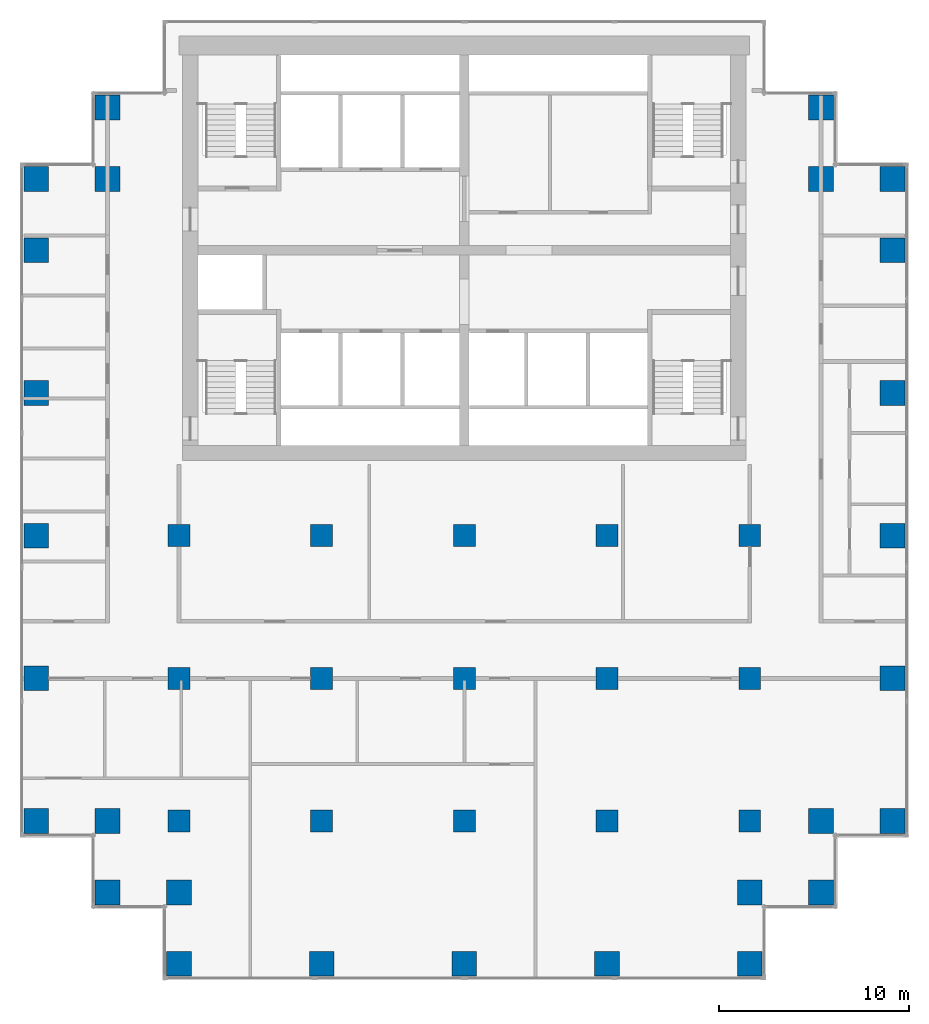
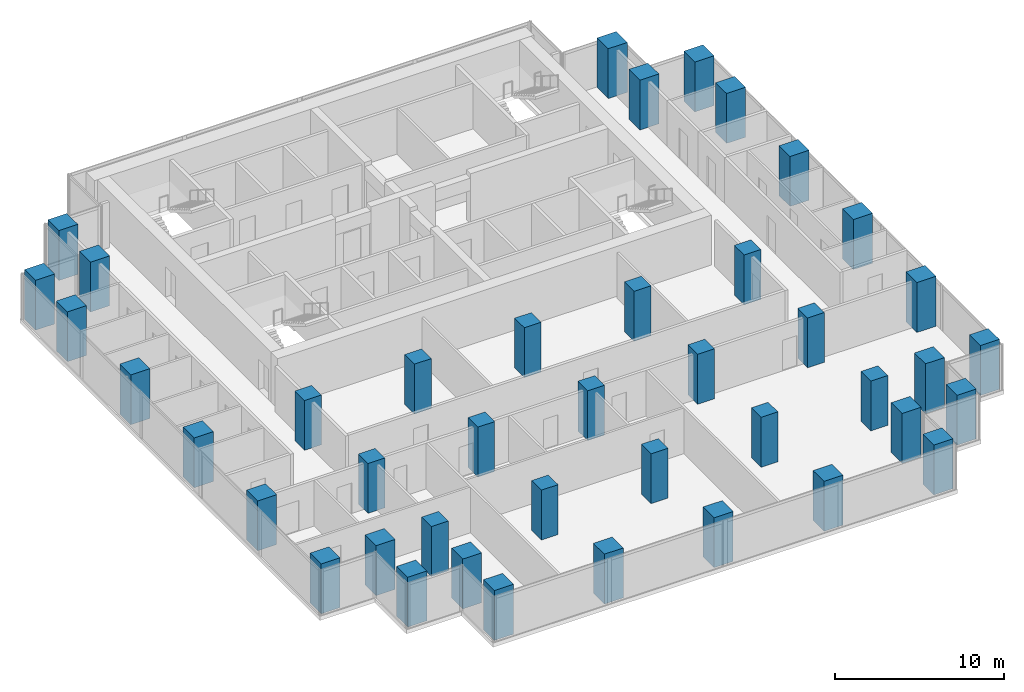
# One storey, part 1 of 10: 42 columns.
"""IFC4 building model written with IfcOpenShell, lengths in metres."""

from ifc_helpers import new_model, si_unit, direction, frame, origin, origin_2d, place, context, subcontext, project, spatial, rectangle, extrude, material, material_profile, profile_set, type_object, element, save


model = new_model("IFC4")

# Units and contexts
model_context = context("Model", 3, precision=1e-05, world=origin(), true_north=direction((0.0, 1.0)))
body_context = subcontext(model_context, "Body", "Model", "MODEL_VIEW")
ifc_project = project(units=[si_unit("LENGTHUNIT", "METRE"), si_unit("AREAUNIT", "SQUARE_METRE"), si_unit("VOLUMEUNIT", "CUBIC_METRE"), si_unit("PLANEANGLEUNIT", "RADIAN"), si_unit("MASSUNIT", "GRAM", prefix="KILO")], contexts=[model_context])

# Site, building, storey
site_placement = place(None, origin())
site = spatial("IfcSite", under=ifc_project, at=site_placement, CompositionType="ELEMENT")
building_placement = place(site_placement, origin())
building = spatial("IfcBuilding", under=site, at=building_placement, Name="Pilkhan Gate Tower", CompositionType="ELEMENT")
storey_placement = place(building_placement, frame((0.0, 0.0, 128.800048828125)))
storey = spatial("IfcBuildingStorey", under=building, at=storey_placement, Name="L32", CompositionType="ELEMENT", Elevation=128.800048828125)

# Columns
ifc_material = material(Name="Concrete C60/75", Category="concrete")
ifc_material_profile_1 = material_profile(ifc_material, rectangle(XDim=1.14990234375, YDim=1.14990234375, at=origin_2d()), Name="RC 1150x1150")
ifc_profile_set_1 = profile_set([ifc_material_profile_1], Name="Concrete C60/75")
column_type_1 = type_object("IfcColumnType", Name="Column C115 RC 1150x1150 C60/75", PredefinedType="COLUMN", material=ifc_profile_set_1)
for number, where, z_axis, x_axis, name in (
    (1, (60.0, 52.5, 0.0), (0.0, 0.0, 1.0), (1.0, 0.0, 0.0), "Column 7/D L32"),
    (2, (60.0, 60.0, 0.0), (0.0, 0.0, 1.0), (1.0, 0.0, 0.0), "Column 7/F L32"),
    (3, (60.0, 67.5, 0.0), (0.0, 0.0, 1.0), (1.0, 0.0, 0.0), "Column 7/H L32"),
    (4, (67.5, 52.5, 0.0), (0.0, 0.0, 1.0), (1.0, 0.0, 0.0), "Column 9/D L32"),
    (5, (67.5, 60.0, 0.0), (0.0, 0.0, 1.0), (1.0, 0.0, 0.0), "Column 9/F L32"),
    (6, (67.5, 67.5, 0.0), (0.0, 0.0, 1.0), (1.0, 0.0, 0.0), "Column 9/H L32"),
    (7, (75.0, 52.5, 0.0), (0.0, 0.0, 1.0), (1.0, 0.0, 0.0), "Column 11/D L32"),
    (8, (75.0, 60.0, 0.0), (0.0, 0.0, 1.0), (1.0, 0.0, 0.0), "Column 11/F L32"),
    (9, (75.0, 67.5, 0.0), (0.0, 0.0, 1.0), (1.0, 0.0, 0.0), "Column 11/H L32"),
    (10, (82.5, 52.5, 0.0), (0.0, 0.0, 1.0), (1.0, 0.0, 0.0), "Column 13/D L32"),
    (11, (82.5, 60.0, 0.0), (0.0, 0.0, 1.0), (1.0, 0.0, 0.0), "Column 13/F L32"),
    (12, (82.5, 67.5, 0.0), (0.0, 0.0, 1.0), (1.0, 0.0, 0.0), "Column 13/H L32"),
    (13, (90.0, 52.5, 0.0), (0.0, 0.0, 1.0), (1.0, 0.0, 0.0), "Column 15/D L32"),
    (14, (90.0, 60.0, 0.0), (0.0, 0.0, 1.0), (1.0, 0.0, 0.0), "Column 15/F L32"),
    (15, (90.0, 67.5, 0.0), (0.0, 0.0, 1.0), (1.0, 0.0, 0.0), "Column 15/H L32"),
):
    element("IfcColumn", number, at=place(storey_placement, frame(where, z_axis=z_axis, x_axis=x_axis)), inside=storey, type_object=column_type_1, Name=name, PredefinedType="COLUMN", context=body_context, shape_type="SweptSolid", body=[
        extrude(rectangle(XDim=1.14990234375, YDim=1.14990234375, at=origin_2d()), origin(), (0.0, 0.0, 1.0), 3.599853515625),
    ])
ifc_material_profile_2 = material_profile(ifc_material, rectangle(XDim=1.300048828125, YDim=1.300048828125, at=origin_2d()), Name="RC 1300x1300")
ifc_profile_set_2 = profile_set([ifc_material_profile_2], Name="Concrete C60/75")
column_type_2 = type_object("IfcColumnType", Name="Column C130 RC 1300x1300 C60/75", PredefinedType="COLUMN", material=ifc_profile_set_2)
for number, where, z_axis, x_axis, name in (
    (16, (52.5, 52.5, 0.0), (0.0, 0.0, 1.0), (1.0, 0.0, 0.0), "Column 5/D L32"),
    (17, (52.5, 60.0, 0.0), (0.0, 0.0, 1.0), (1.0, 0.0, 0.0), "Column 5/F L32"),
    (18, (52.5, 67.5, 0.0), (0.0, 0.0, 1.0), (1.0, 0.0, 0.0), "Column 5/H L32"),
    (19, (52.5, 75.0, 0.0), (0.0, 0.0, 1.0), (1.0, 0.0, 0.0), "Column 5/K L32"),
    (20, (52.5, 82.5, 0.0), (0.0, 0.0, 1.0), (1.0, 0.0, 0.0), "Column 5/M L32"),
    (21, (52.5, 86.25, 0.0), (0.0, 0.0, 1.0), (1.0, 0.0, 0.0), "Column 5/N L32"),
    (22, (56.25, 48.75, 0.0), (0.0, 0.0, 1.0), (1.0, 0.0, 0.0), "Column 6/C L32"),
    (23, (56.25, 52.5, 0.0), (0.0, 0.0, 1.0), (1.0, 0.0, 0.0), "Column 6/D L32"),
    (24, (56.25, 86.25, 0.0), (0.0, 0.0, 1.0), (1.0, 0.0, 0.0), "Column 6/N L32"),
    (25, (56.25, 90.0, 0.0), (0.0, 0.0, 1.0), (1.0, 0.0, 0.0), "Column 6/P L32"),
    (26, (60.0, 45.0, 0.0), (0.0, 0.0, 1.0), (1.0, 0.0, 0.0), "Column 7/B L32"),
    (27, (60.0, 48.75, 0.0), (0.0, 0.0, 1.0), (1.0, 0.0, 0.0), "Column 7/C L32"),
    (28, (67.5, 45.0, 0.0), (0.0, 0.0, 1.0), (1.0, 0.0, 0.0), "Column 9/B L32"),
    (29, (75.0, 45.0, 0.0), (0.0, 0.0, 1.0), (1.0, 0.0, 0.0), "Column 11/B L32"),
    (30, (82.5, 45.0, 0.0), (0.0, 0.0, 1.0), (1.0, 0.0, 0.0), "Column 13/B L32"),
    (31, (90.0, 45.0, 0.0), (0.0, 0.0, 1.0), (1.0, 0.0, 0.0), "Column 15/B L32"),
    (32, (90.0, 48.75, 0.0), (0.0, 0.0, 1.0), (1.0, 0.0, 0.0), "Column 15/C L32"),
    (33, (93.75, 48.75, 0.0), (0.0, 0.0, 1.0), (1.0, 0.0, 0.0), "Column 16/C L32"),
    (34, (93.75, 52.5, 0.0), (0.0, 0.0, 1.0), (1.0, 0.0, 0.0), "Column 16/D L32"),
    (35, (93.75, 86.25, 0.0), (0.0, 0.0, 1.0), (1.0, 0.0, 0.0), "Column 16/N L32"),
    (36, (93.75, 90.0, 0.0), (0.0, 0.0, 1.0), (1.0, 0.0, 0.0), "Column 16/P L32"),
    (37, (97.5, 52.5, 0.0), (0.0, 0.0, 1.0), (1.0, 0.0, 0.0), "Column 17/D L32"),
    (38, (97.5, 60.0, 0.0), (0.0, 0.0, 1.0), (1.0, 0.0, 0.0), "Column 17/F L32"),
    (39, (97.5, 67.5, 0.0), (0.0, 0.0, 1.0), (1.0, 0.0, 0.0), "Column 17/H L32"),
    (40, (97.5, 75.0, 0.0), (0.0, 0.0, 1.0), (1.0, 0.0, 0.0), "Column 17/K L32"),
    (41, (97.5, 82.5, 0.0), (0.0, 0.0, 1.0), (1.0, 0.0, 0.0), "Column 17/M L32"),
    (42, (97.5, 86.25, 0.0), (0.0, 0.0, 1.0), (1.0, 0.0, 0.0), "Column 17/N L32"),
):
    element("IfcColumn", number, at=place(storey_placement, frame(where, z_axis=z_axis, x_axis=x_axis)), inside=storey, type_object=column_type_2, Name=name, PredefinedType="COLUMN", context=body_context, shape_type="SweptSolid", body=[
        extrude(rectangle(XDim=1.300048828125, YDim=1.300048828125, at=origin_2d()), origin(), (0.0, 0.0, 1.0), 3.599853515625),
    ])

save(model, "model.ifc")
